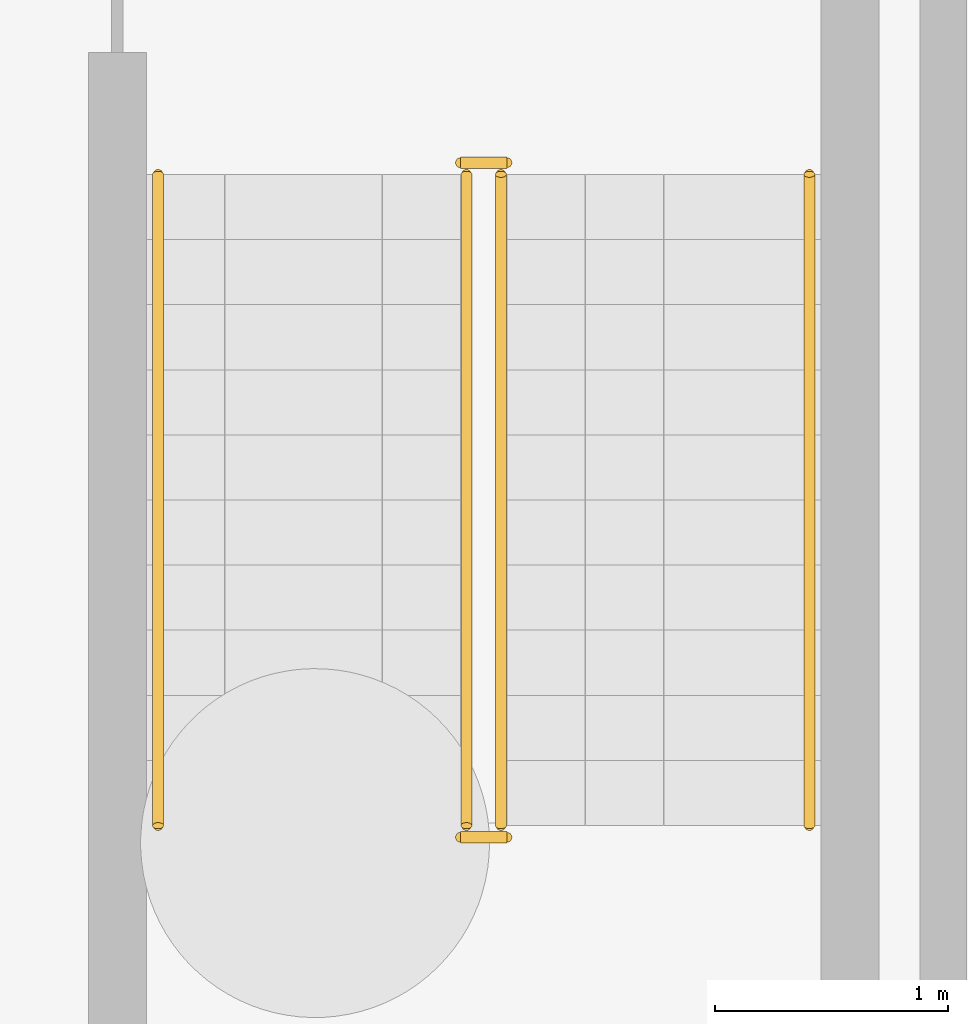
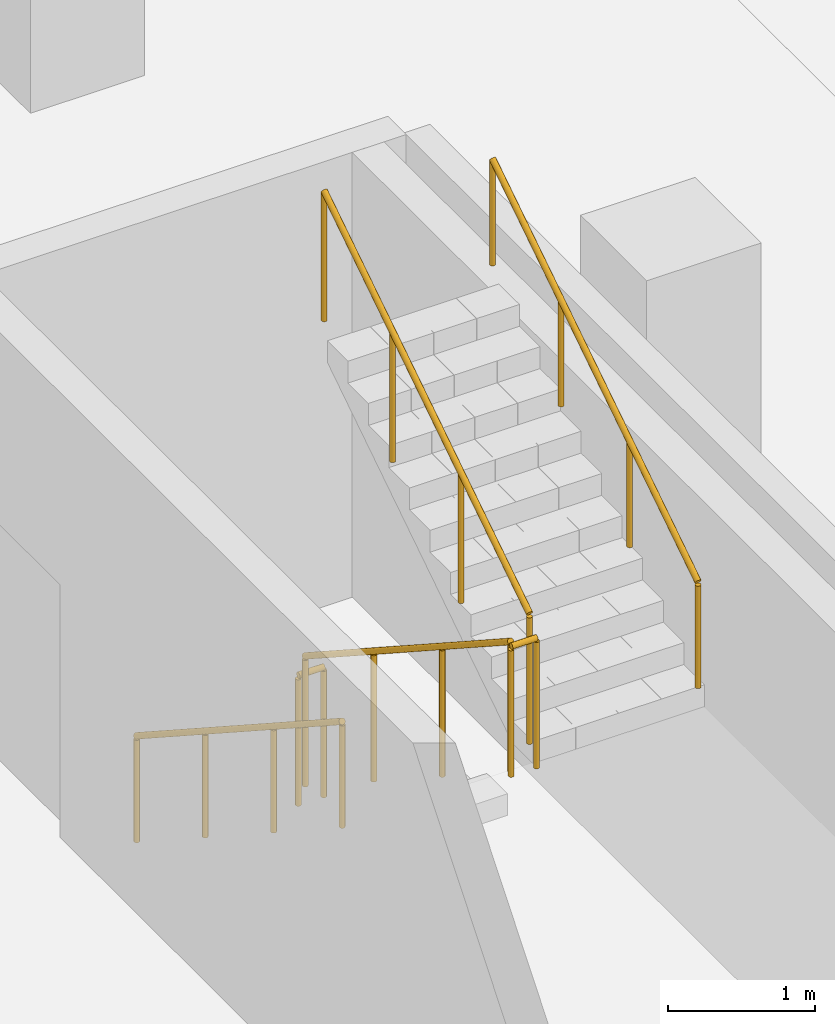
# One storey, part 18 of 20: 6 railings.
"""IFC4 building model written with IfcOpenShell, lengths in metres."""

from ifc_helpers import new_model, si_unit, direction, frame, origin, origin_2d, place, context, subcontext, project, spatial, circle, extrude, material, type_object, element, save


model = new_model("IFC4")

# Units and contexts
model_context = context("Model", 3, precision=1e-05, world=origin(), true_north=direction((0.0, 1.0)))
body_context = subcontext(model_context, "Body", "Model", "MODEL_VIEW")
ifc_project = project(units=[si_unit("LENGTHUNIT", "METRE"), si_unit("AREAUNIT", "SQUARE_METRE"), si_unit("VOLUMEUNIT", "CUBIC_METRE"), si_unit("PLANEANGLEUNIT", "RADIAN"), si_unit("MASSUNIT", "GRAM", prefix="KILO")], contexts=[model_context])

# Site, building, storey
site_placement = place(None, origin())
site = spatial("IfcSite", under=ifc_project, at=site_placement, CompositionType="ELEMENT")
building_placement = place(site_placement, origin())
building = spatial("IfcBuilding", under=site, at=building_placement, Name="Cantera Rosa Tower", CompositionType="ELEMENT")
storey_placement = place(building_placement, frame((0.0, 0.0, -17.0)))
storey = spatial("IfcBuildingStorey", under=building, at=storey_placement, Name="B4", CompositionType="ELEMENT", Elevation=-17.0)

# Railings
ifc_material_1 = material(Name="Steel S355J2 (EN 10025-2)", Category="steel")
railing_type_1 = type_object("IfcRailingType", Name="STAIR GUARD 1100", PredefinedType="GUARDRAIL", material=ifc_material_1)
railing_1_placement = place(storey_placement, frame((30.65087890625, -21.125, 0.181884765625)))
element("IfcRailing", 1, at=railing_1_placement, inside=storey, type_object=railing_type_1, Name="B4 ST-SE stair guard 1", PredefinedType="GUARDRAIL", context=body_context, shape_type="SweptSolid", body=[
    extrude(circle(Radius=0.02392578125, at=origin_2d()), frame((0.0, 0.0, 1.076171875), z_axis=(0.0, -0.838705829183, 0.544584733623), x_axis=(1.0, 0.0, 0.0)), (0.0, 0.0, 1.0), 3.338623046875),
    extrude(circle(Radius=0.02099609375, at=origin_2d()), origin(), (0.0, 0.0, 1.0), 1.052001953125),
    extrude(circle(Radius=0.02099609375, at=origin_2d()), frame((0.0, -0.933349609375, 0.60595703125)), (0.0, 0.0, 1.0), 1.052001953125),
    extrude(circle(Radius=0.02099609375, at=origin_2d()), frame((0.0, -1.86669921875, 1.212158203125)), (0.0, 0.0, 1.0), 1.052001953125),
    extrude(circle(Radius=0.02099609375, at=origin_2d()), frame((0.0, -2.800048828125, 1.818115234375)), (0.0, 0.0, 1.0), 1.052001953125),
])
railing_2_placement = place(storey_placement, frame((30.625, -23.97509765625, 2.0)))
element("IfcRailing", 2, at=railing_2_placement, inside=storey, type_object=railing_type_1, Name="B4 ST-SE stair guard 2", PredefinedType="GUARDRAIL", context=body_context, shape_type="SweptSolid", body=[
    extrude(circle(Radius=0.02392578125, at=origin_2d()), frame((0.0, 0.0, 1.076171875), z_axis=(1.0, 0.0, 0.0), x_axis=(0.0, 1.0, 0.0)), (0.0, 0.0, 1.0), 0.199951171875),
    extrude(circle(Radius=0.02099609375, at=origin_2d()), origin(), (0.0, 0.0, 1.0), 1.052001953125),
    extrude(circle(Radius=0.02099609375, at=origin_2d()), frame((0.199951171875, 0.0, 0.0)), (0.0, 0.0, 1.0), 1.052001953125),
])
railing_3_placement = place(storey_placement, frame((30.799072265625, -23.925048828125, 2.181884765625)))
element("IfcRailing", 3, at=railing_3_placement, inside=storey, type_object=railing_type_1, Name="B4 ST-SE stair guard 3", PredefinedType="GUARDRAIL", context=body_context, shape_type="SweptSolid", body=[
    extrude(circle(Radius=0.02392578125, at=origin_2d()), frame((0.0, 0.0, 1.076171875), z_axis=(0.0, 0.838705829183, 0.544584733623), x_axis=(-1.0, 0.0, 0.0)), (0.0, 0.0, 1.0), 3.338623046875),
    extrude(circle(Radius=0.02099609375, at=origin_2d()), origin(), (0.0, 0.0, 1.0), 1.052001953125),
    extrude(circle(Radius=0.02099609375, at=origin_2d()), frame((0.0, 0.933349609375, 0.60595703125)), (0.0, 0.0, 1.0), 1.052001953125),
    extrude(circle(Radius=0.02099609375, at=origin_2d()), frame((0.0, 1.86669921875, 1.212158203125)), (0.0, 0.0, 1.0), 1.052001953125),
    extrude(circle(Radius=0.02099609375, at=origin_2d()), frame((0.0, 2.800048828125, 1.818115234375)), (0.0, 0.0, 1.0), 1.052001953125),
])
railing_4_placement = place(storey_placement, frame((30.625, -21.074951171875, 0.0)))
element("IfcRailing", 4, at=railing_4_placement, inside=storey, type_object=railing_type_1, Name="B4 ST-SE stair guard 4", PredefinedType="GUARDRAIL", context=body_context, shape_type="SweptSolid", body=[
    extrude(circle(Radius=0.02392578125, at=origin_2d()), frame((0.0, 0.0, 1.076171875), z_axis=(1.0, 0.0, 0.0), x_axis=(0.0, 1.0, 0.0)), (0.0, 0.0, 1.0), 0.199951171875),
    extrude(circle(Radius=0.02099609375, at=origin_2d()), origin(), (0.0, 0.0, 1.0), 1.052001953125),
    extrude(circle(Radius=0.02099609375, at=origin_2d()), frame((0.199951171875, 0.0, 0.0)), (0.0, 0.0, 1.0), 1.052001953125),
])
ifc_material_2 = material(Name="Steel S355J2 (EN 10025-2)", Category="steel")
railing_type_2 = type_object("IfcRailingType", Name="STAIR HANDRAIL 900", PredefinedType="HANDRAIL", material=ifc_material_2)
railing_5_placement = place(storey_placement, frame((29.324951171875, -21.125, 0.181884765625)))
element("IfcRailing", 5, at=railing_5_placement, inside=storey, type_object=railing_type_2, Name="B4 ST-SE stair handrail 1", PredefinedType="HANDRAIL", context=body_context, shape_type="SweptSolid", body=[
    extrude(circle(Radius=0.02392578125, at=origin_2d()), frame((0.0, 0.0, 0.8759765625), z_axis=(0.0, -0.838705829183, 0.544584733623), x_axis=(1.0, 0.0, 0.0)), (0.0, 0.0, 1.0), 3.338623046875),
    extrude(circle(Radius=0.02099609375, at=origin_2d()), origin(), (0.0, 0.0, 1.0), 0.851806640625),
    extrude(circle(Radius=0.02099609375, at=origin_2d()), frame((0.0, -0.933349609375, 0.60595703125)), (0.0, 0.0, 1.0), 0.851806640625),
    extrude(circle(Radius=0.02099609375, at=origin_2d()), frame((0.0, -1.86669921875, 1.212158203125)), (0.0, 0.0, 1.0), 0.851806640625),
    extrude(circle(Radius=0.02099609375, at=origin_2d()), frame((0.0, -2.800048828125, 1.818115234375)), (0.0, 0.0, 1.0), 0.851806640625),
])
railing_6_placement = place(storey_placement, frame((32.125, -23.925048828125, 2.181884765625)))
element("IfcRailing", 6, at=railing_6_placement, inside=storey, type_object=railing_type_2, Name="B4 ST-SE stair handrail 2", PredefinedType="HANDRAIL", context=body_context, shape_type="SweptSolid", body=[
    extrude(circle(Radius=0.02392578125, at=origin_2d()), frame((0.0, 0.0, 0.8759765625), z_axis=(0.0, 0.838705829183, 0.544584733623), x_axis=(-1.0, 0.0, 0.0)), (0.0, 0.0, 1.0), 3.338623046875),
    extrude(circle(Radius=0.02099609375, at=origin_2d()), origin(), (0.0, 0.0, 1.0), 0.851806640625),
    extrude(circle(Radius=0.02099609375, at=origin_2d()), frame((0.0, 0.933349609375, 0.60595703125)), (0.0, 0.0, 1.0), 0.851806640625),
    extrude(circle(Radius=0.02099609375, at=origin_2d()), frame((0.0, 1.86669921875, 1.212158203125)), (0.0, 0.0, 1.0), 0.851806640625),
    extrude(circle(Radius=0.02099609375, at=origin_2d()), frame((0.0, 2.800048828125, 1.818115234375)), (0.0, 0.0, 1.0), 0.851806640625),
])

save(model, "model.ifc")
